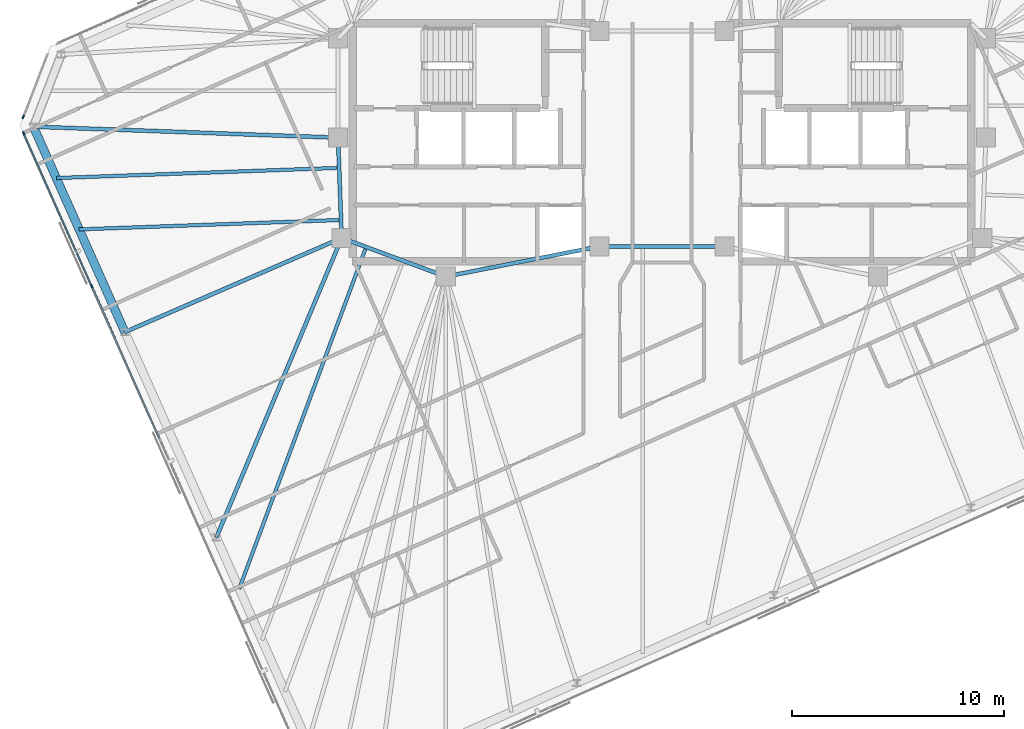
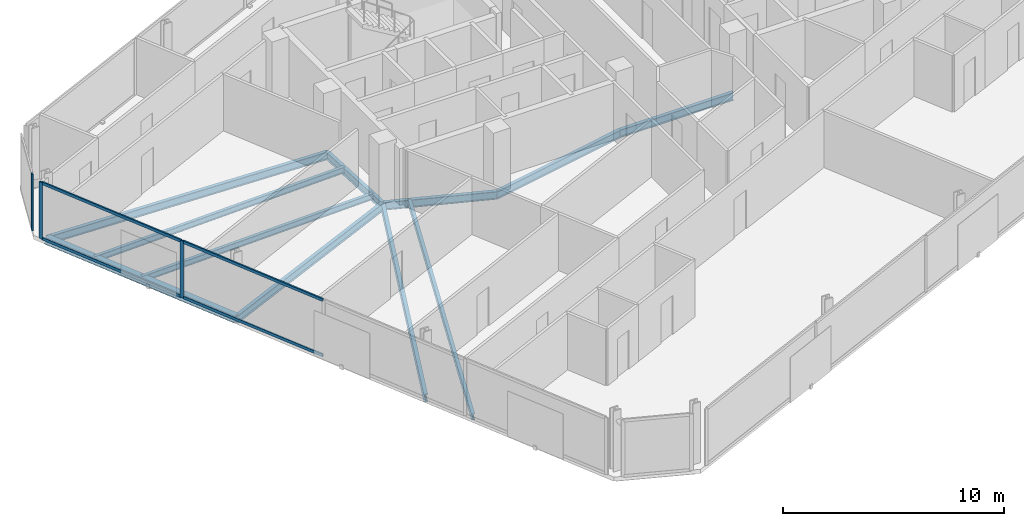
# One storey, part 6 of 18: 11 beams, 7 members, 2 elements without a shape of their own.
"""IFC4 building model written with IfcOpenShell, lengths in metres."""

from ifc_helpers import new_model, si_unit, direction, frame, origin, origin_2d, place, context, subcontext, project, spatial, rectangle, i_section, extrude, material, material_profile, profile_set, type_object, element, aggregate, save


model = new_model("IFC4")

# Units and contexts
model_context = context("Model", 3, precision=1e-05, world=origin(), true_north=direction((0.0, 1.0)))
body_context = subcontext(model_context, "Body", "Model", "MODEL_VIEW")
ifc_project = project(units=[si_unit("LENGTHUNIT", "METRE"), si_unit("AREAUNIT", "SQUARE_METRE"), si_unit("VOLUMEUNIT", "CUBIC_METRE"), si_unit("PLANEANGLEUNIT", "RADIAN"), si_unit("MASSUNIT", "GRAM", prefix="KILO")], contexts=[model_context])

# Site, building, storey
site_placement = place(None, origin())
site = spatial("IfcSite", under=ifc_project, at=site_placement, CompositionType="ELEMENT")
building_placement = place(site_placement, origin())
building = spatial("IfcBuilding", under=site, at=building_placement, Name="Menara Jurai Vektor", CompositionType="ELEMENT")
storey_placement = place(building_placement, frame((0.0, 0.0, 258.85009765625)))
storey = spatial("IfcBuildingStorey", under=building, at=storey_placement, Name="L69", CompositionType="ELEMENT", Elevation=258.85009765625)

# Curtain wall, member
ifc_material_1 = material(Name="Anodised Pale Aluminium & Low-E Double Glazing", Category="aluminium")
curtain_wall_type = type_object("IfcCurtainWallType", Name="CW-BLK5", PredefinedType="NOTDEFINED", material=ifc_material_1)
curtain_wall_1_placement = place(storey_placement, origin())
curtain_wall_1 = element("IfcCurtainWall", 1, at=curtain_wall_1_placement, inside=storey, type_object=curtain_wall_type, Name="Unitised Curtain Wall L69 F06", PredefinedType="NOTDEFINED")
ifc_material_2 = material(Name="Anodised Pale Aluminium Mullion", Category="aluminium")
ifc_material_profile_1 = material_profile(ifc_material_2, rectangle(XDim=0.074951171875, YDim=0.175048828125, at=origin_2d()), Name="ALU MUL 75x175")
ifc_profile_set_1 = profile_set([ifc_material_profile_1], Name="Anodised Pale Aluminium Mullion")
member_type_1 = type_object("IfcMemberType", Name="CW-BLK5-MUL", PredefinedType="MULLION", material=ifc_profile_set_1)
member_1_placement = place(storey_placement, frame((-30.075439453125, 1.197265625, 0.0), z_axis=(0.0, 0.0, 1.0), x_axis=(0.933578193639, -0.358373766287, 0.0)))
member_1 = element("IfcMember", 2, at=member_1_placement, type_object=member_type_1, Name="CW-05 mullion 2", PredefinedType="MULLION", context=body_context, shape_type="SweptSolid", body=[
    extrude(rectangle(XDim=0.074951171875, YDim=0.175048828125, at=origin_2d()), origin(), (0.0, 0.0, 1.0), 3.125),
])
aggregate(curtain_wall_1, [member_1])

# Curtain wall, members
curtain_wall_2_placement = place(storey_placement, origin())
curtain_wall_2 = element("IfcCurtainWall", 3, at=curtain_wall_2_placement, inside=storey, type_object=curtain_wall_type, Name="Unitised Curtain Wall L69 F07", PredefinedType="NOTDEFINED")
member_2_placement = place(storey_placement, frame((-30.055419921875, 0.426025390625, 0.0), z_axis=(0.0, 0.0, 1.0), x_axis=(0.913546127706, 0.406735138086, 0.0)))
member_2 = element("IfcMember", 4, at=member_2_placement, type_object=member_type_1, Name="CW-05 mullion 1", PredefinedType="MULLION", context=body_context, shape_type="SweptSolid", body=[
    extrude(rectangle(XDim=0.074951171875, YDim=0.175048828125, at=origin_2d()), origin(), (0.0, 0.0, 1.0), 3.125),
])
member_3_placement = place(storey_placement, frame((-26.853271484375, -6.765869140625, 0.0), z_axis=(0.0, 0.0, 1.0), x_axis=(0.913546127706, 0.406735138086, 0.0)))
member_3 = element("IfcMember", 5, at=member_3_placement, type_object=member_type_1, Name="CW-05 mullion 2", PredefinedType="MULLION", context=body_context, shape_type="SweptSolid", body=[
    extrude(rectangle(XDim=0.074951171875, YDim=0.175048828125, at=origin_2d()), origin(), (0.0, 0.0, 1.0), 3.125),
])
ifc_material_3 = material(Name="Anodised Pale Aluminium Transom", Category="aluminium")
ifc_material_profile_2 = material_profile(ifc_material_3, rectangle(XDim=0.074951171875, YDim=0.155029296875, at=origin_2d()), Name="ALU TRN 75x155")
ifc_profile_set_2 = profile_set([ifc_material_profile_2], Name="Anodised Pale Aluminium Transom")
member_type_2 = type_object("IfcMemberType", Name="CW-BLK5-TRN", PredefinedType="USERDEFINED", material=ifc_profile_set_2)
member_4_placement = place(storey_placement, frame((-30.0400390625, 0.391845703125, 0.037353515625), z_axis=(0.406713581109, -0.913555725143, 0.0), x_axis=(0.913555725143, 0.406713581109, 0.0)))
member_4 = element("IfcMember", 6, at=member_4_placement, type_object=member_type_2, Name="CW-05 transom 1.1", ObjectType="TRANSOM", PredefinedType="USERDEFINED", context=body_context, shape_type="SweptSolid", body=[
    extrude(rectangle(XDim=0.074951171875, YDim=0.155029296875, at=origin_2d()), origin(), (0.0, 0.0, 1.0), 7.797607421875),
])
member_5_placement = place(storey_placement, frame((-30.0400390625, 0.391845703125, 3.08740234375), z_axis=(0.406713581109, -0.913555725143, 0.0), x_axis=(0.913555725143, 0.406713581109, 0.0)))
member_5 = element("IfcMember", 7, at=member_5_placement, type_object=member_type_2, Name="CW-05 transom 1.2", ObjectType="TRANSOM", PredefinedType="USERDEFINED", context=body_context, shape_type="SweptSolid", body=[
    extrude(rectangle(XDim=0.074951171875, YDim=0.155029296875, at=origin_2d()), origin(), (0.0, 0.0, 1.0), 7.797607421875),
])
member_6_placement = place(storey_placement, frame((-26.838134765625, -6.800048828125, 0.037353515625), z_axis=(0.406731062496, -0.913547942256, 0.0), x_axis=(0.913547942256, 0.406731062496, 0.0)))
member_6 = element("IfcMember", 8, at=member_6_placement, type_object=member_type_2, Name="CW-05 transom 2.1", ObjectType="TRANSOM", PredefinedType="USERDEFINED", context=body_context, shape_type="SweptSolid", body=[
    extrude(rectangle(XDim=0.074951171875, YDim=0.155029296875, at=origin_2d()), origin(), (0.0, 0.0, 1.0), 7.8349609375),
])
member_7_placement = place(storey_placement, frame((-26.838134765625, -6.800048828125, 3.08740234375), z_axis=(0.406731062496, -0.913547942256, 0.0), x_axis=(0.913547942256, 0.406731062496, 0.0)))
member_7 = element("IfcMember", 9, at=member_7_placement, type_object=member_type_2, Name="CW-05 transom 2.2", ObjectType="TRANSOM", PredefinedType="USERDEFINED", context=body_context, shape_type="SweptSolid", body=[
    extrude(rectangle(XDim=0.074951171875, YDim=0.155029296875, at=origin_2d()), origin(), (0.0, 0.0, 1.0), 7.8349609375),
])
aggregate(curtain_wall_2, [member_2, member_3, member_4, member_5, member_6, member_7])

# Beams
ifc_material_4 = material(Name="Steel S355", Category="steel")
ifc_material_profile_3 = material_profile(ifc_material_4, i_section(OverallWidth=0.18505859375, OverallDepth=0.429931640625, WebThickness=0.010986328125, FlangeThickness=0.01806640625, at=origin_2d()), Name="PG 430x185x76")
ifc_profile_set_3 = profile_set([ifc_material_profile_3], Name="Steel S355")
beam_type_1 = type_object("IfcBeamType", Name="STR-BM-430", PredefinedType="BEAM", material=ifc_profile_set_3)
beam_1_placement = place(storey_placement, frame((-15.080078125, -4.5, -0.440185546875), z_axis=(-0.035977314146, 0.999352606874, 0.0), x_axis=(-0.999352606874, -0.035977314146, 0.0)))
element("IfcBeam", 10, at=beam_1_placement, inside=storey, type_object=beam_type_1, Name="Core Ring Header Girder L69-CHW-W2", PredefinedType="BEAM", context=body_context, shape_type="SweptSolid", body=[
    extrude(i_section(OverallWidth=0.18505859375, OverallDepth=0.429931640625, WebThickness=0.010986328125, FlangeThickness=0.01806640625, at=origin_2d()), origin(), (0.0, 0.0, 1.0), 4.72314453125),
])
beam_2_placement = place(storey_placement, frame((-15.080078125, -4.5, -0.440185546875), z_axis=(0.937424400887, -0.348188874925, 0.0), x_axis=(0.348188874925, 0.937424400887, 0.0)))
element("IfcBeam", 11, at=beam_2_placement, inside=storey, type_object=beam_type_1, Name="Core Ring Header Girder L69-CHW-S1", PredefinedType="BEAM", context=body_context, shape_type="SweptSolid", body=[
    extrude(i_section(OverallWidth=0.18505859375, OverallDepth=0.429931640625, WebThickness=0.010986328125, FlangeThickness=0.01806640625, at=origin_2d()), origin(), (0.0, 0.0, 1.0), 5.227294921875),
])
beam_3_placement = place(storey_placement, frame((-10.179931640625, -6.320068359375, -0.440185546875), z_axis=(0.981249044334, 0.192744164614, 0.0), x_axis=(-0.192744164614, 0.981249044334, 0.0)))
element("IfcBeam", 12, at=beam_3_placement, inside=storey, type_object=beam_type_1, Name="Core Ring Header Girder L69-CHW-S2", PredefinedType="BEAM", context=body_context, shape_type="SweptSolid", body=[
    extrude(i_section(OverallWidth=0.18505859375, OverallDepth=0.429931640625, WebThickness=0.010986328125, FlangeThickness=0.01806640625, at=origin_2d()), origin(), (0.0, 0.0, 1.0), 7.3681640625),
])
beam_4_placement = place(storey_placement, frame((-2.949951171875, -4.89990234375, -0.440185546875), z_axis=(1.0, 0.0, 0.0), x_axis=(0.0, 1.0, 0.0)))
element("IfcBeam", 13, at=beam_4_placement, inside=storey, type_object=beam_type_1, Name="Core Ring Header Girder L69-CC-1", PredefinedType="BEAM", context=body_context, shape_type="SweptSolid", body=[
    extrude(i_section(OverallWidth=0.18505859375, OverallDepth=0.429931640625, WebThickness=0.010986328125, FlangeThickness=0.01806640625, at=origin_2d()), origin(), (0.0, 0.0, 1.0), 5.89990234375),
])
beam_5_placement = place(storey_placement, frame((-29.591796875, 0.73681640625, -0.440185546875), z_axis=(0.999351273077, -0.03601434436, 0.0), x_axis=(0.03601434436, 0.999351273077, 0.0)))
element("IfcBeam", 14, at=beam_5_placement, inside=storey, type_object=beam_type_1, Name="Radial Floor Girder L69-W1", PredefinedType="BEAM", context=body_context, shape_type="SweptSolid", body=[
    extrude(i_section(OverallWidth=0.18505859375, OverallDepth=0.429931640625, WebThickness=0.010986328125, FlangeThickness=0.01806640625, at=origin_2d()), origin(), (0.0, 0.0, 1.0), 14.35107421875),
])
beam_6_placement = place(storey_placement, frame((-25.286376953125, -8.933349609375, -0.440185546875), z_axis=(0.917207084259, 0.398410798781, 0.0), x_axis=(-0.398410798781, 0.917207084259, 0.0)))
element("IfcBeam", 15, at=beam_6_placement, inside=storey, type_object=beam_type_1, Name="Radial Floor Girder L69-W2", PredefinedType="BEAM", context=body_context, shape_type="SweptSolid", body=[
    extrude(i_section(OverallWidth=0.18505859375, OverallDepth=0.429931640625, WebThickness=0.010986328125, FlangeThickness=0.01806640625, at=origin_2d()), origin(), (0.0, 0.0, 1.0), 11.127685546875),
])
beam_7_placement = place(storey_placement, frame((-20.98095703125, -18.603271484375, -0.440185546875), z_axis=(0.38598134247, 0.922506587112, 0.0), x_axis=(-0.922506587112, 0.38598134247, 0.0)))
element("IfcBeam", 16, at=beam_7_placement, inside=storey, type_object=beam_type_1, Name="Radial Floor Girder L69-W3", PredefinedType="BEAM", context=body_context, shape_type="SweptSolid", body=[
    extrude(i_section(OverallWidth=0.18505859375, OverallDepth=0.429931640625, WebThickness=0.010986328125, FlangeThickness=0.01806640625, at=origin_2d()), origin(), (0.0, 0.0, 1.0), 15.2880859375),
])
ifc_material_5 = material(Name="Steel S460", Category="steel")
ifc_material_profile_4 = material_profile(ifc_material_5, i_section(OverallWidth=0.39697265625, OverallDepth=0.31591796875, WebThickness=0.030029296875, FlangeThickness=0.048095703125, FilletRadius=0.014892578125, at=origin_2d()), Name="HD 400x382")
ifc_profile_set_4 = profile_set([ifc_material_profile_4], Name="Steel S460")
beam_type_2 = type_object("IfcBeamType", Name="STR-BM-CHORD382", PredefinedType="SPANDREL", material=ifc_profile_set_4)
beam_8_placement = place(storey_placement, frame((-29.591796875, 0.73681640625, -0.383056640625), z_axis=(0.40673543049, -0.91354599752, 0.0), x_axis=(0.91354599752, 0.40673543049, 0.0)))
element("IfcBeam", 17, at=beam_8_placement, inside=storey, type_object=beam_type_2, Name="Exoskeleton Spandrel Beam L69-17", PredefinedType="SPANDREL", context=body_context, shape_type="SweptSolid", body=[
    extrude(i_section(OverallWidth=0.39697265625, OverallDepth=0.31591796875, WebThickness=0.030029296875, FlangeThickness=0.048095703125, FilletRadius=0.014892578125, at=origin_2d()), origin(), (0.0, 0.0, 1.0), 10.585205078125),
])
ifc_material_profile_5 = material_profile(ifc_material_4, i_section(OverallWidth=0.1650390625, OverallDepth=0.330078125, WebThickness=0.009033203125, FlangeThickness=0.013916015625, at=origin_2d()), Name="PG 330x165x46")
ifc_profile_set_5 = profile_set([ifc_material_profile_5], Name="Steel S355")
beam_type_3 = type_object("IfcBeamType", Name="STR-JS-330", PredefinedType="JOIST", material=ifc_profile_set_5)
beam_9_placement = place(storey_placement, frame((-28.515380859375, -1.6806640625, -0.39013671875), z_axis=(0.999352378837, 0.035983647851, 0.0), x_axis=(-0.035983647851, 0.999352378837, 0.0)))
element("IfcBeam", 18, at=beam_9_placement, inside=storey, type_object=beam_type_3, Name="Radial Secondary Floor Joist L69-JS26", PredefinedType="JOIST", context=body_context, shape_type="SweptSolid", body=[
    extrude(i_section(OverallWidth=0.1650390625, OverallDepth=0.330078125, WebThickness=0.009033203125, FlangeThickness=0.013916015625, at=origin_2d()), origin(), (0.0, 0.0, 1.0), 13.3251953125),
])
beam_10_placement = place(storey_placement, frame((-27.43896484375, -4.09814453125, -0.39013671875), z_axis=(0.999352552329, 0.03597882924, 0.0), x_axis=(-0.03597882924, 0.999352552329, 0.0)))
element("IfcBeam", 19, at=beam_10_placement, inside=storey, type_object=beam_type_3, Name="Radial Secondary Floor Joist L69-JS27", PredefinedType="JOIST", context=body_context, shape_type="SweptSolid", body=[
    extrude(i_section(OverallWidth=0.1650390625, OverallDepth=0.330078125, WebThickness=0.009033203125, FlangeThickness=0.013916015625, at=origin_2d()), origin(), (0.0, 0.0, 1.0), 12.33642578125),
])
beam_11_placement = place(storey_placement, frame((-19.904541015625, -21.020751953125, -0.39013671875), z_axis=(0.348190100331, 0.937423945732, 0.0), x_axis=(-0.937423945732, 0.348190100331, 0.0)))
element("IfcBeam", 20, at=beam_11_placement, inside=storey, type_object=beam_type_3, Name="Radial Secondary Floor Joist L69-JS28", PredefinedType="JOIST", context=body_context, shape_type="SweptSolid", body=[
    extrude(i_section(OverallWidth=0.1650390625, OverallDepth=0.330078125, WebThickness=0.009033203125, FlangeThickness=0.013916015625, at=origin_2d()), origin(), (0.0, 0.0, 1.0), 17.166748046875),
])

save(model, "model.ifc")
